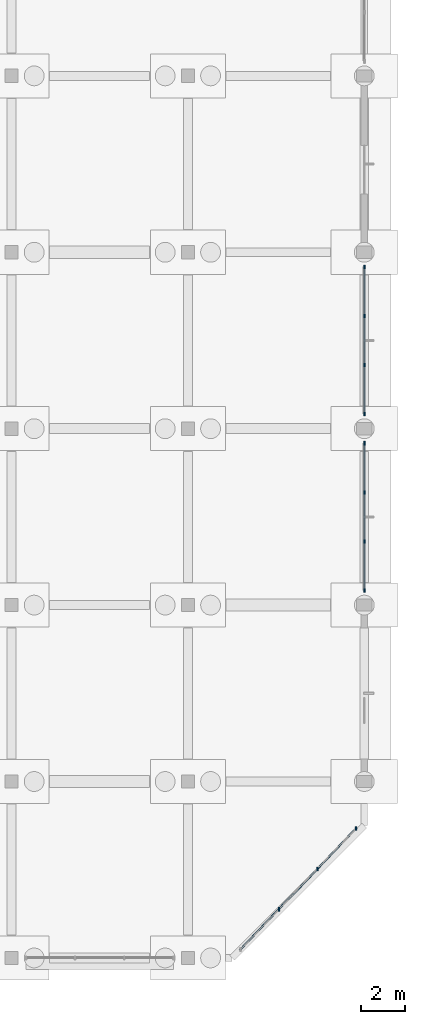
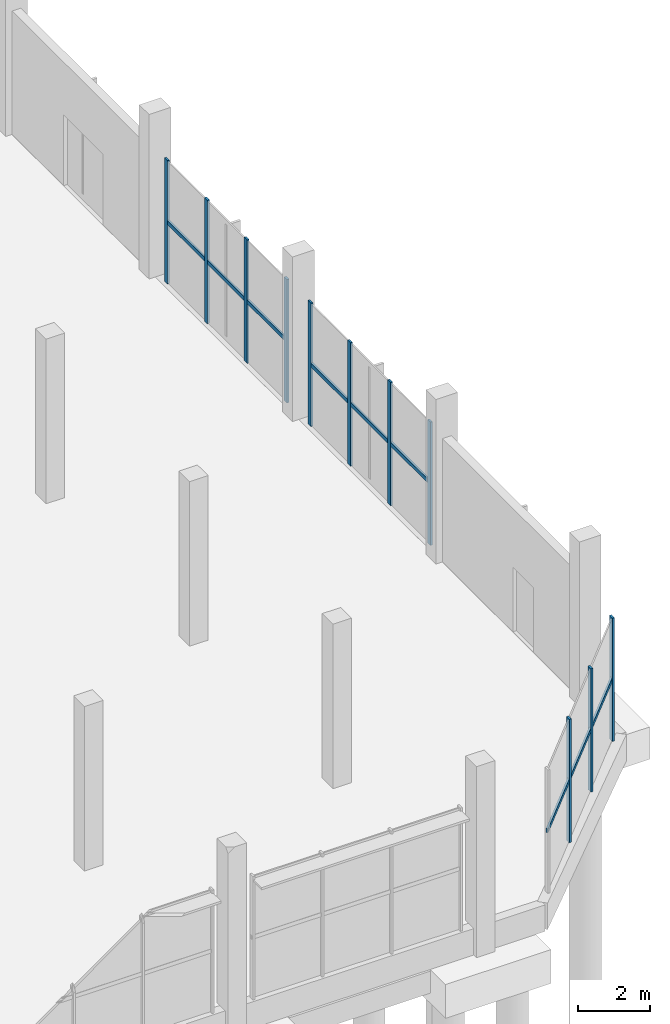
# One storey, part 51 of 98: 14 members, 3 elements without a shape of their own.
"""IFC4 building model written with IfcOpenShell, lengths in metres."""

from ifc_helpers import new_model, si_unit, derived_unit, direction, frame, origin, origin_2d, place, context, subcontext, project, spatial, rectangle, extrude, material, layer, layer_set, material_profile, profile_set, type_object, element, aggregate, save


model = new_model("IFC4")

# Units and contexts
model_context = context("Model", 3, precision=1e-05, world=origin(), true_north=direction((0.0, 1.0)))
body_context = subcontext(model_context, "Body", "Model", "MODEL_VIEW")
ifc_project = project(units=[si_unit("LENGTHUNIT", "METRE"), si_unit("AREAUNIT", "SQUARE_METRE"), si_unit("VOLUMEUNIT", "CUBIC_METRE"), si_unit("PLANEANGLEUNIT", "RADIAN"), si_unit("MASSUNIT", "GRAM", prefix="KILO"), si_unit("THERMODYNAMICTEMPERATUREUNIT", "KELVIN"), derived_unit("THERMALTRANSMITTANCEUNIT", [(si_unit("POWERUNIT", "WATT"), 1), (si_unit("AREAUNIT", "SQUARE_METRE"), -1), (si_unit("THERMODYNAMICTEMPERATUREUNIT", "KELVIN"), -1)])], contexts=[model_context])

# Site, building, storey
site_placement = place(None, origin())
site = spatial("IfcSite", under=ifc_project, at=site_placement, CompositionType="ELEMENT")
building_placement = place(site_placement, origin())
building = spatial("IfcBuilding", under=site, at=building_placement, Name="Haiyu Intermodal Mobility Hub", CompositionType="ELEMENT")
storey_placement = place(building_placement, origin())
storey = spatial("IfcBuildingStorey", under=building, at=storey_placement, Name="L00", CompositionType="ELEMENT", Elevation=0.0)

# Curtain wall, members
ifc_material_1 = material(Name="Low-e laminated insulating glass", Category="glass")
ifc_layer = layer(ifc_material_1, 0.2099609375)
ifc_layer_set = layer_set([ifc_layer], Name="Low-e laminated insulating glass")
curtain_wall_type = type_object("IfcCurtainWallType", Name="CW-CW04", PredefinedType="NOTDEFINED", material=ifc_layer_set)
curtain_wall_1_placement = place(storey_placement, origin())
curtain_wall_1 = element("IfcCurtainWall", 1, at=curtain_wall_1_placement, inside=storey, type_object=curtain_wall_type, Name="Curtain Wall CW-V5E-L00-089", PredefinedType="NOTDEFINED")
ifc_material_2 = material(Name="Anodised aluminium 6063-T6", Category="aluminium")
ifc_material_profile_1 = material_profile(ifc_material_2, rectangle(XDim=0.06494140625, YDim=0.1650390625, at=origin_2d()), Name="ALU65x165")
ifc_profile_set_1 = profile_set([ifc_material_profile_1], Name="Anodised aluminium 6063-T6")
member_type_1 = type_object("IfcMemberType", Name="CWM-ML02", PredefinedType="MULLION", material=ifc_profile_set_1)
member_1_placement = place(storey_placement, frame((210.0, 32.659912109375, 0.0), z_axis=(0.0, 0.0, 1.0), x_axis=(1.0, 0.0, 0.0)))
member_1 = element("IfcMember", 2, at=member_1_placement, type_object=member_type_1, Name="CW-V5E-L00-089-ML01", PredefinedType="MULLION", context=body_context, shape_type="SweptSolid", body=[
    extrude(rectangle(XDim=0.06494140625, YDim=0.1650390625, at=origin_2d()), origin(), (0.0, 0.0, 1.0), 4.199951171875),
])
member_2_placement = place(storey_placement, frame((210.0, 34.886962890625, 0.0), z_axis=(0.0, 0.0, 1.0), x_axis=(1.0, 0.0, 0.0)))
member_2 = element("IfcMember", 3, at=member_2_placement, type_object=member_type_1, Name="CW-V5E-L00-089-ML02", PredefinedType="MULLION", context=body_context, shape_type="SweptSolid", body=[
    extrude(rectangle(XDim=0.06494140625, YDim=0.1650390625, at=origin_2d()), origin(), (0.0, 0.0, 1.0), 4.199951171875),
])
member_3_placement = place(storey_placement, frame((210.0, 37.113037109375, 0.0), z_axis=(0.0, 0.0, 1.0), x_axis=(1.0, 0.0, 0.0)))
member_3 = element("IfcMember", 4, at=member_3_placement, type_object=member_type_1, Name="CW-V5E-L00-089-ML03", PredefinedType="MULLION", context=body_context, shape_type="SweptSolid", body=[
    extrude(rectangle(XDim=0.06494140625, YDim=0.1650390625, at=origin_2d()), origin(), (0.0, 0.0, 1.0), 4.199951171875),
])
member_4_placement = place(storey_placement, frame((210.0, 39.340087890625, 0.0), z_axis=(0.0, 0.0, 1.0), x_axis=(1.0, 0.0, 0.0)))
member_4 = element("IfcMember", 5, at=member_4_placement, type_object=member_type_1, Name="CW-V5E-L00-089-ML04", PredefinedType="MULLION", context=body_context, shape_type="SweptSolid", body=[
    extrude(rectangle(XDim=0.06494140625, YDim=0.1650390625, at=origin_2d()), origin(), (0.0, 0.0, 1.0), 4.199951171875),
])

curtain_wall_2_placement = place(storey_placement, origin())
curtain_wall_2 = element("IfcCurtainWall", 6, at=curtain_wall_2_placement, inside=storey, type_object=curtain_wall_type, Name="Curtain Wall CW-V5E-L00-090", PredefinedType="NOTDEFINED")
member_5_placement = place(storey_placement, frame((210.0, 40.659912109375, 0.0), z_axis=(0.0, 0.0, 1.0), x_axis=(1.0, 0.0, 0.0)))
member_5 = element("IfcMember", 7, at=member_5_placement, type_object=member_type_1, Name="CW-V5E-L00-090-ML01", PredefinedType="MULLION", context=body_context, shape_type="SweptSolid", body=[
    extrude(rectangle(XDim=0.06494140625, YDim=0.1650390625, at=origin_2d()), origin(), (0.0, 0.0, 1.0), 4.199951171875),
])
member_6_placement = place(storey_placement, frame((210.0, 42.886962890625, 0.0), z_axis=(0.0, 0.0, 1.0), x_axis=(1.0, 0.0, 0.0)))
member_6 = element("IfcMember", 8, at=member_6_placement, type_object=member_type_1, Name="CW-V5E-L00-090-ML02", PredefinedType="MULLION", context=body_context, shape_type="SweptSolid", body=[
    extrude(rectangle(XDim=0.06494140625, YDim=0.1650390625, at=origin_2d()), origin(), (0.0, 0.0, 1.0), 4.199951171875),
])
member_7_placement = place(storey_placement, frame((210.0, 45.113037109375, 0.0), z_axis=(0.0, 0.0, 1.0), x_axis=(1.0, 0.0, 0.0)))
member_7 = element("IfcMember", 9, at=member_7_placement, type_object=member_type_1, Name="CW-V5E-L00-090-ML03", PredefinedType="MULLION", context=body_context, shape_type="SweptSolid", body=[
    extrude(rectangle(XDim=0.06494140625, YDim=0.1650390625, at=origin_2d()), origin(), (0.0, 0.0, 1.0), 4.199951171875),
])
member_8_placement = place(storey_placement, frame((210.0, 47.340087890625, 0.0), z_axis=(0.0, 0.0, 1.0), x_axis=(1.0, 0.0, 0.0)))
member_8 = element("IfcMember", 10, at=member_8_placement, type_object=member_type_1, Name="CW-V5E-L00-090-ML04", PredefinedType="MULLION", context=body_context, shape_type="SweptSolid", body=[
    extrude(rectangle(XDim=0.06494140625, YDim=0.1650390625, at=origin_2d()), origin(), (0.0, 0.0, 1.0), 4.199951171875),
])

curtain_wall_3_placement = place(storey_placement, origin())
curtain_wall_3 = element("IfcCurtainWall", 11, at=curtain_wall_3_placement, inside=storey, type_object=curtain_wall_type, Name="Curtain Wall CW-V5CH-L00-178", PredefinedType="NOTDEFINED")
member_9_placement = place(storey_placement, frame((206.1259765625, 18.2099609375, 0.0), z_axis=(0.0, 0.0, 1.0), x_axis=(1.0, 0.0, 0.0)))
member_9 = element("IfcMember", 12, at=member_9_placement, type_object=member_type_1, Name="CW-V5CH-L00-178-ML02", PredefinedType="MULLION", context=body_context, shape_type="SweptSolid", body=[
    extrude(rectangle(XDim=0.06494140625, YDim=0.1650390625, at=origin_2d()), origin(), (0.0, 0.0, 1.0), 4.199951171875),
])
member_10_placement = place(storey_placement, frame((207.8740234375, 20.0400390625, 0.0), z_axis=(0.0, 0.0, 1.0), x_axis=(1.0, 0.0, 0.0)))
member_10 = element("IfcMember", 13, at=member_10_placement, type_object=member_type_1, Name="CW-V5CH-L00-178-ML03", PredefinedType="MULLION", context=body_context, shape_type="SweptSolid", body=[
    extrude(rectangle(XDim=0.06494140625, YDim=0.1650390625, at=origin_2d()), origin(), (0.0, 0.0, 1.0), 4.199951171875),
])
member_11_placement = place(storey_placement, frame((209.6220703125, 21.87109375, 0.0), z_axis=(0.0, 0.0, 1.0), x_axis=(1.0, 0.0, 0.0)))
member_11 = element("IfcMember", 14, at=member_11_placement, type_object=member_type_1, Name="CW-V5CH-L00-178-ML04", PredefinedType="MULLION", context=body_context, shape_type="SweptSolid", body=[
    extrude(rectangle(XDim=0.06494140625, YDim=0.1650390625, at=origin_2d()), origin(), (0.0, 0.0, 1.0), 4.199951171875),
])

# Member
ifc_material_profile_2 = material_profile(ifc_material_2, rectangle(XDim=0.06494140625, YDim=0.135009765625, at=origin_2d()), Name="ALU65x135")
ifc_profile_set_2 = profile_set([ifc_material_profile_2], Name="Anodised aluminium 6063-T6")
member_type_2 = type_object("IfcMemberType", Name="CWM-TR02", PredefinedType="USERDEFINED", material=ifc_profile_set_2)
member_12_placement = place(storey_placement, frame((210.0, 32.6201171875, 2.10009765625), z_axis=(0.0, 1.0, 0.0), x_axis=(-1.0, 0.0, 0.0)))
member_12 = element("IfcMember", 15, at=member_12_placement, type_object=member_type_2, Name="CW-V5E-L00-089-TR01", ObjectType="TRANSOM", PredefinedType="USERDEFINED", context=body_context, shape_type="SweptSolid", body=[
    extrude(rectangle(XDim=0.06494140625, YDim=0.135009765625, at=origin_2d()), origin(), (0.0, 0.0, 1.0), 6.759765625),
])

aggregate(curtain_wall_1, [member_1, member_2, member_3, member_4, member_12])

member_13_placement = place(storey_placement, frame((210.0, 40.6201171875, 2.10009765625), z_axis=(0.0, 1.0, 0.0), x_axis=(-1.0, 0.0, 0.0)))
member_13 = element("IfcMember", 16, at=member_13_placement, type_object=member_type_2, Name="CW-V5E-L00-090-TR01", ObjectType="TRANSOM", PredefinedType="USERDEFINED", context=body_context, shape_type="SweptSolid", body=[
    extrude(rectangle(XDim=0.06494140625, YDim=0.135009765625, at=origin_2d()), origin(), (0.0, 0.0, 1.0), 6.759765625),
])

aggregate(curtain_wall_2, [member_5, member_6, member_7, member_8, member_13])

member_14_placement = place(storey_placement, frame((204.35009765625, 16.35009765625, 2.10009765625), z_axis=(0.690630091683, 0.723208183349, 0.0), x_axis=(-0.723208183349, 0.690630091683, 0.0)))
member_14 = element("IfcMember", 17, at=member_14_placement, type_object=member_type_2, Name="CW-V5CH-L00-178-TR01", ObjectType="TRANSOM", PredefinedType="USERDEFINED", context=body_context, shape_type="SweptSolid", body=[
    extrude(rectangle(XDim=0.06494140625, YDim=0.135009765625, at=origin_2d()), origin(), (0.0, 0.0, 1.0), 7.673828125),
])

aggregate(curtain_wall_3, [member_9, member_10, member_11, member_14])

save(model, "model.ifc")
